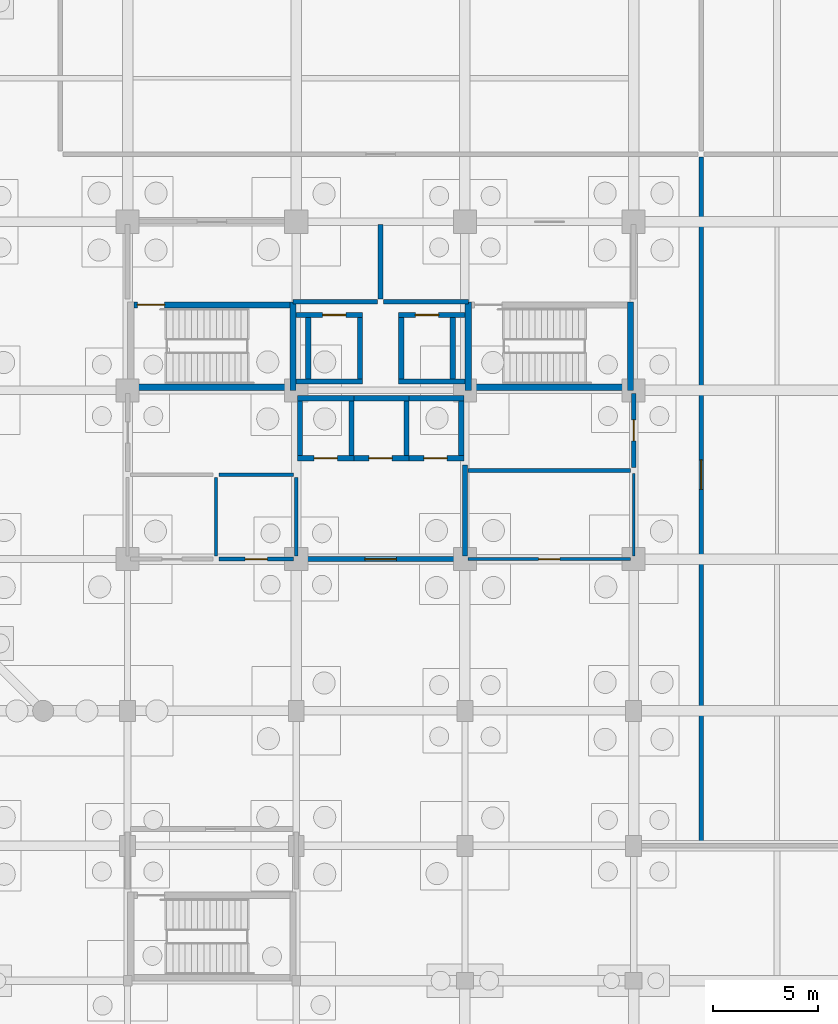
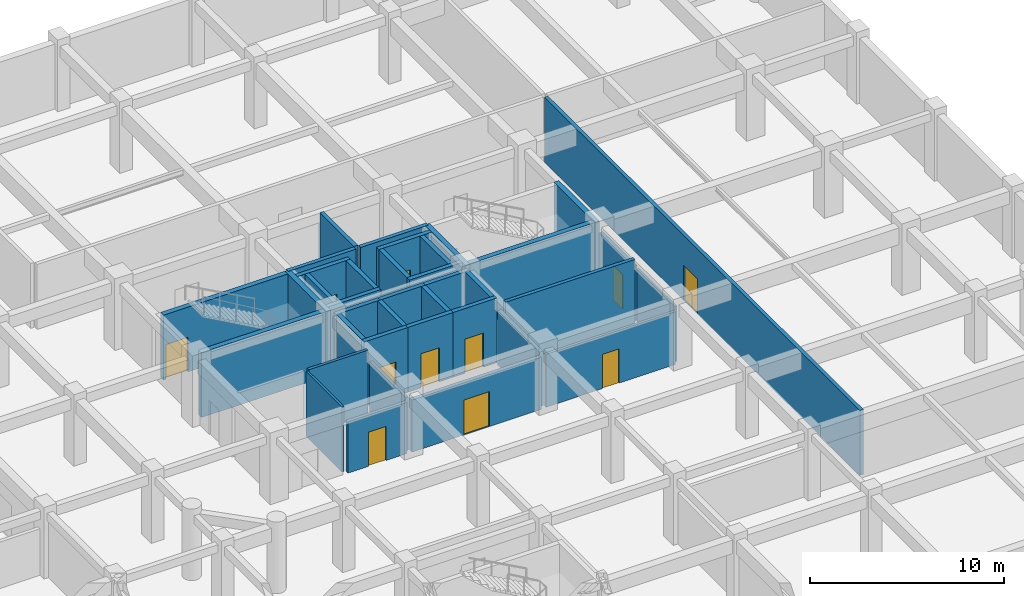
# One storey, part 24 of 28: 38 walls, 11 doors, 11 openings.
"""IFC4 building model written with IfcOpenShell, lengths in metres."""

from ifc_helpers import new_model, si_unit, direction, frame, frame_2d, origin, place, context, subcontext, project, spatial, rectangle, extrude, material, layer, layer_set, type_object, element, fill, save


model = new_model("IFC4")

# Units and contexts
model_context = context("Model", 3, precision=1e-05, world=origin(), true_north=direction((0.0, 1.0)))
body_context = subcontext(model_context, "Body", "Model", "MODEL_VIEW")
ifc_project = project(units=[si_unit("LENGTHUNIT", "METRE"), si_unit("AREAUNIT", "SQUARE_METRE"), si_unit("VOLUMEUNIT", "CUBIC_METRE"), si_unit("PLANEANGLEUNIT", "RADIAN"), si_unit("MASSUNIT", "GRAM", prefix="KILO")], contexts=[model_context])

# Site, building, storey
site_placement = place(None, origin())
site = spatial("IfcSite", under=ifc_project, at=site_placement, CompositionType="ELEMENT")
building_placement = place(site_placement, origin())
building = spatial("IfcBuilding", under=site, at=building_placement, Name="Vellmiral Cinema and Media Centre", CompositionType="ELEMENT")
storey_placement = place(building_placement, frame((0.0, 0.0, -4.5)))
storey = spatial("IfcBuildingStorey", under=building, at=storey_placement, Name="B1", CompositionType="ELEMENT", Elevation=-4.5)

# Wall
ifc_material_1 = material(Name="Concrete C40/50", Category="concrete")
ifc_layer_1 = layer(ifc_material_1, 0.2099609375, Name="Concrete C40/50")
ifc_layer_set_1 = layer_set([ifc_layer_1], Name="Concrete C40/50")
wall_type_1 = type_object("IfcWallType", Name="WL-COMP-210", PredefinedType="SOLIDWALL", material=ifc_layer_set_1)
wall_1_placement = place(storey_placement, frame((140.139892578125, 83.39990234375, 0.0), z_axis=(0.0, 0.0, 1.0), x_axis=(1.0, 0.0, 0.0)))
element("IfcWall", 1, at=wall_1_placement, inside=storey, type_object=wall_type_1, Name="Mechanical Smoke Riser Room Wall S", PredefinedType="SOLIDWALL", context=body_context, shape_type="SweptSolid", body=[
    extrude(rectangle(XDim=7.72021484375, YDim=0.2099609375, at=frame_2d((3.860107421875, 0.0))), origin(), (0.0, 0.0, 1.0), 4.080078125),
])

# Wall, opening, door
wall_2_placement = place(storey_placement, frame((148.0, 83.5400390625, 0.0), z_axis=(0.0, 0.0, 1.0), x_axis=(0.0, 1.0, 0.0)))
wall_2 = element("IfcWall", 2, at=wall_2_placement, inside=storey, type_object=wall_type_1, Name="Mechanical Smoke Riser Room Wall E", PredefinedType="SOLIDWALL", context=body_context, shape_type="SweptSolid", body=[
    extrude(rectangle(XDim=3.52001953125, YDim=0.2099609375, at=frame_2d((1.760009765625, 0.0))), origin(), (0.0, 0.0, 1.0), 3.47509765625),
])
opening_1_placement = place(wall_2_placement, frame((1.260009765625, 0.0, 0.0)))
opening_1 = element("IfcOpeningElement", 3, at=opening_1_placement, cuts=wall_2, Name="Opening D-FD30B", PredefinedType="OPENING", context=body_context, shape_type="SweptSolid", body=[
    extrude(rectangle(XDim=1.0, YDim=2.14990234375, at=frame_2d((0.5, 1.074951171875))), frame((0.0, 0.116943359375, 0.0), z_axis=(0.0, -1.0, 0.0), x_axis=(1.0, 0.0, 0.0)), (0.0, 0.0, 1.0), 0.23388671875),
])
ifc_material_2 = material(Name="Steel Riser Fire Door", Category="steel")
door_type_1 = type_object("IfcDoorType", Name="DR-FD30-1000x2150", OperationType="NOTDEFINED", PredefinedType="DOOR", material=ifc_material_2)
door_1_placement = place(opening_1_placement, origin())
door_1 = element("IfcDoor", 4, at=door_1_placement, inside=storey, type_object=door_type_1, Name="Mechanical Smoke Riser Room Door", OperationType="SINGLE_SWING_LEFT", OverallHeight=2.14990234375, OverallWidth=1.0, PredefinedType="DOOR", context=body_context, shape_type="SweptSolid", body=[
    extrude(rectangle(XDim=1.0, YDim=2.14990234375, at=frame_2d((0.5, 1.074951171875))), frame((0.0, 0.02490234375, 0.0), z_axis=(0.0, -1.0, 0.0), x_axis=(1.0, 0.0, 0.0)), (0.0, 0.0, 1.0), 0.050048828125),
])
fill(opening_1, door_1)

wall_3_placement = place(storey_placement, frame((151.199951171875, 65.739990234375, 0.0), z_axis=(0.0, 0.0, 1.0), x_axis=(0.0, 1.0, 0.0)))
wall_3 = element("IfcWall", 5, at=wall_3_placement, inside=storey, type_object=wall_type_1, Name="Tower Basement Media Archive Room Wall W", PredefinedType="SOLIDWALL", context=body_context, shape_type="SweptSolid", body=[
    extrude(rectangle(XDim=32.52001953125, YDim=0.2099609375, at=frame_2d((16.260009765625, 0.0))), origin(), (0.0, 0.0, 1.0), 4.080078125),
])
opening_2_placement = place(wall_3_placement, frame((16.760009765625, 0.0, 0.0)))
opening_2 = element("IfcOpeningElement", 6, at=opening_2_placement, cuts=wall_3, Name="Opening D-FD60B", PredefinedType="OPENING", context=body_context, shape_type="SweptSolid", body=[
    extrude(rectangle(XDim=1.39990234375, YDim=2.199951171875, at=frame_2d((0.699951171875, 1.10009765625))), frame((0.0, 0.116943359375, 0.0), z_axis=(0.0, -1.0, 0.0), x_axis=(1.0, 0.0, 0.0)), (0.0, 0.0, 1.0), 0.23388671875),
])
ifc_material_3 = material(Name="Steel Fire Door", Category="steel")
door_type_2 = type_object("IfcDoorType", Name="DR-FD60-1400x2200", OperationType="NOTDEFINED", PredefinedType="DOOR", material=ifc_material_3)
door_2_placement = place(opening_2_placement, frame((1.39990234375, 0.0, 0.0), z_axis=(0.0, 0.0, 1.0), x_axis=(-1.0, 0.0, 0.0)))
door_2 = element("IfcDoor", 7, at=door_2_placement, inside=storey, type_object=door_type_2, Name="Tower Basement Media Archive Room Door", OperationType="SINGLE_SWING_LEFT", OverallHeight=2.199951171875, OverallWidth=1.39990234375, PredefinedType="DOOR", context=body_context, shape_type="SweptSolid", body=[
    extrude(rectangle(XDim=1.39990234375, YDim=2.199951171875, at=frame_2d((0.699951171875, 1.10009765625))), frame((0.0, 0.02490234375, 0.0), z_axis=(0.0, -1.0, 0.0), x_axis=(1.0, 0.0, 0.0)), (0.0, 0.0, 1.0), 0.050048828125),
])
fill(opening_2, door_2)

# Walls
ifc_material_4 = material(Name="Concrete C40/50", Category="concrete")
ifc_layer_2 = layer(ifc_material_4, 0.300048828125, Name="Concrete C40/50")
ifc_layer_set_2 = layer_set([ifc_layer_2], Name="Concrete C40/50")
wall_type_2 = type_object("IfcWallType", Name="WL-CORE-300", PredefinedType="SHEAR", material=ifc_layer_set_2)
wall_4_placement = place(storey_placement, frame((131.85009765625, 87.199951171875, 0.0), z_axis=(0.0, 0.0, 1.0), x_axis=(0.0, 1.0, 0.0)))
element("IfcWall", 8, at=wall_4_placement, inside=storey, type_object=wall_type_2, Name="Stair Core Wall ST-T1 B1-E", PredefinedType="SHEAR", context=body_context, shape_type="SweptSolid", body=[
    extrude(rectangle(XDim=4.199951171875, YDim=0.300048828125, at=frame_2d((2.10009765625, 0.0))), origin(), (0.0, 0.0, 1.0), 4.080078125),
])
wall_5_placement = place(storey_placement, frame((124.300048828125, 87.35009765625, 0.0), z_axis=(0.0, 0.0, 1.0), x_axis=(1.0, 0.0, 0.0)))
element("IfcWall", 9, at=wall_5_placement, inside=storey, type_object=wall_type_2, Name="Stair Core Wall ST-T1 B1-S", PredefinedType="SHEAR", context=body_context, shape_type="SweptSolid", body=[
    extrude(rectangle(XDim=7.39990234375, YDim=0.300048828125, at=frame_2d((3.699951171875, 0.0))), origin(), (0.0, 0.0, 1.0), 4.080078125),
])

# Wall, opening, door
wall_6_placement = place(storey_placement, frame((124.300048828125, 91.25, 0.0), z_axis=(0.0, 0.0, 1.0), x_axis=(1.0, 0.0, 0.0)))
wall_6 = element("IfcWall", 10, at=wall_6_placement, inside=storey, type_object=wall_type_2, Name="Stair Core Wall ST-T1 B1-N", PredefinedType="SHEAR", context=body_context, shape_type="SweptSolid", body=[
    extrude(rectangle(XDim=7.39990234375, YDim=0.300048828125, at=frame_2d((3.699951171875, 0.0))), origin(), (0.0, 0.0, 1.0), 4.080078125),
])
opening_3_placement = place(wall_6_placement, frame((0.159912109375, 0.0, 0.0)))
opening_3 = element("IfcOpeningElement", 11, at=opening_3_placement, cuts=wall_6, Name="Opening D-FD30A", PredefinedType="OPENING", context=body_context, shape_type="SweptSolid", body=[
    extrude(rectangle(XDim=1.300048828125, YDim=2.179931640625, at=frame_2d((0.64990234375, 1.08984375))), frame((0.0, 0.162109375, 0.0), z_axis=(0.0, -1.0, 0.0), x_axis=(1.0, 0.0, 0.0)), (0.0, 0.0, 1.0), 0.323974609375),
])
ifc_material_5 = material(Name="Steel Stair Fire Door", Category="steel")
door_type_3 = type_object("IfcDoorType", Name="DR-FD30-1300x2180", OperationType="NOTDEFINED", PredefinedType="DOOR", material=ifc_material_5)
door_3_placement = place(opening_3_placement, frame((1.300048828125, 0.0, 0.0), z_axis=(0.0, 0.0, 1.0), x_axis=(-1.0, 0.0, 0.0)))
door_3 = element("IfcDoor", 12, at=door_3_placement, inside=storey, type_object=door_type_3, Name="Protected Stair Door ST-T1 B1", OperationType="SINGLE_SWING_RIGHT", OverallHeight=2.179931640625, OverallWidth=1.300048828125, PredefinedType="DOOR", context=body_context, shape_type="SweptSolid", body=[
    extrude(rectangle(XDim=1.300048828125, YDim=2.179931640625, at=frame_2d((0.64990234375, 1.08984375))), frame((0.0, 0.02490234375, 0.0), z_axis=(0.0, -1.0, 0.0), x_axis=(1.0, 0.0, 0.0)), (0.0, 0.0, 1.0), 0.050048828125),
])
fill(opening_3, door_3)

# Walls
for number, where, z_axis, x_axis, name in (
    (13, (140.14990234375, 87.199951171875, 0.0), (0.0, 0.0, 1.0), (0.0, 1.0, 0.0), "Stair Core Wall ST-T2 B1-W"),
    (14, (147.85009765625, 87.199951171875, 0.0), (0.0, 0.0, 1.0), (0.0, 1.0, 0.0), "Stair Core Wall ST-T2 B1-E"),
):
    element("IfcWall", number, at=place(storey_placement, frame(where, z_axis=z_axis, x_axis=x_axis)), inside=storey, type_object=wall_type_2, Name=name, PredefinedType="SHEAR", context=body_context, shape_type="SweptSolid", body=[
        extrude(rectangle(XDim=4.199951171875, YDim=0.300048828125, at=frame_2d((2.10009765625, 0.0))), origin(), (0.0, 0.0, 1.0), 4.080078125),
    ])
wall_7_placement = place(storey_placement, frame((140.300048828125, 87.35009765625, 0.0), z_axis=(0.0, 0.0, 1.0), x_axis=(1.0, 0.0, 0.0)))
element("IfcWall", 15, at=wall_7_placement, inside=storey, type_object=wall_type_2, Name="Stair Core Wall ST-T2 B1-S", PredefinedType="SHEAR", context=body_context, shape_type="SweptSolid", body=[
    extrude(rectangle(XDim=7.39990234375, YDim=0.300048828125, at=frame_2d((3.699951171875, 0.0))), origin(), (0.0, 0.0, 1.0), 4.080078125),
])
ifc_material_6 = material(Name="Concrete C40/50", Category="concrete")
ifc_layer_3 = layer(ifc_material_6, 0.22998046875, Name="Concrete C40/50")
ifc_layer_set_3 = layer_set([ifc_layer_3], Name="Concrete C40/50")
wall_type_3 = type_object("IfcWallType", Name="WL-FFL-230", PredefinedType="SOLIDWALL", material=ifc_layer_set_3)
wall_8_placement = place(storey_placement, frame((131.840087890625, 91.39990234375, 0.0), z_axis=(0.0, 0.0, 1.0), x_axis=(1.0, 0.0, 0.0)))
element("IfcWall", 16, at=wall_8_placement, inside=storey, type_object=wall_type_3, Name="Firefighting Lobby West Wall S", PredefinedType="SOLIDWALL", context=body_context, shape_type="SweptSolid", body=[
    extrude(rectangle(XDim=4.02001953125, YDim=0.22998046875, at=frame_2d((2.010009765625, 0.0))), origin(), (0.0, 0.0, 1.0), 4.080078125),
])
wall_9_placement = place(storey_placement, frame((136.0, 91.5400390625, 0.0), z_axis=(0.0, 0.0, 1.0), x_axis=(0.0, 1.0, 0.0)))
element("IfcWall", 17, at=wall_9_placement, inside=storey, type_object=wall_type_3, Name="Firefighting Lobby West Wall E", PredefinedType="SOLIDWALL", context=body_context, shape_type="SweptSolid", body=[
    extrude(rectangle(XDim=3.52001953125, YDim=0.22998046875, at=frame_2d((1.760009765625, 0.0))), origin(), (0.0, 0.0, 1.0), 4.080078125),
])
wall_10_placement = place(storey_placement, frame((136.139892578125, 91.39990234375, 0.0), z_axis=(0.0, 0.0, 1.0), x_axis=(1.0, 0.0, 0.0)))
element("IfcWall", 18, at=wall_10_placement, inside=storey, type_object=wall_type_3, Name="Firefighting Lobby East Wall S", PredefinedType="SOLIDWALL", context=body_context, shape_type="SweptSolid", body=[
    extrude(rectangle(XDim=4.02001953125, YDim=0.22998046875, at=frame_2d((2.010009765625, 0.0))), origin(), (0.0, 0.0, 1.0), 4.080078125),
])

# Wall, opening, door
wall_11_placement = place(storey_placement, frame((132.139892578125, 79.199951171875, 0.0), z_axis=(0.0, 0.0, 1.0), x_axis=(1.0, 0.0, 0.0)))
wall_11 = element("IfcWall", 19, at=wall_11_placement, inside=storey, type_object=wall_type_3, Name="Tower Passenger Lift Lobby Wall S", PredefinedType="SOLIDWALL", context=body_context, shape_type="SweptSolid", body=[
    extrude(rectangle(XDim=7.72021484375, YDim=0.22998046875, at=frame_2d((3.860107421875, 0.0))), origin(), (0.0, 0.0, 1.0), 3.27490234375),
])
opening_4_placement = place(wall_11_placement, frame((3.110107421875, 0.0, 0.0)))
opening_4 = element("IfcOpeningElement", 20, at=opening_4_placement, cuts=wall_11, Name="Opening D-FD30", PredefinedType="OPENING", context=body_context, shape_type="SweptSolid", body=[
    extrude(rectangle(XDim=1.5, YDim=2.199951171875, at=frame_2d((0.75, 1.10009765625))), frame((0.0, 0.126953125, 0.0), z_axis=(0.0, -1.0, 0.0), x_axis=(1.0, 0.0, 0.0)), (0.0, 0.0, 1.0), 0.25390625),
])
ifc_material_7 = material(Name="Timber-Core Fire Door", Category="wood")
door_type_4 = type_object("IfcDoorType", Name="DR-FD30-1500x2200", OperationType="DOUBLE_DOOR_SINGLE_SWING", PredefinedType="DOOR", material=ifc_material_7)
door_4_placement = place(opening_4_placement, frame((1.5, 0.0, 0.0), z_axis=(0.0, 0.0, 1.0), x_axis=(-1.0, 0.0, 0.0)))
door_4 = element("IfcDoor", 21, at=door_4_placement, inside=storey, type_object=door_type_4, Name="Tower Passenger Lift Lobby Door", OperationType="DOUBLE_DOOR_SINGLE_SWING", OverallHeight=2.199951171875, OverallWidth=1.5, PredefinedType="DOOR", context=body_context, shape_type="SweptSolid", body=[
    extrude(rectangle(XDim=1.5, YDim=2.199951171875, at=frame_2d((0.75, 1.10009765625))), frame((0.0, 0.02490234375, 0.0), z_axis=(0.0, -1.0, 0.0), x_axis=(1.0, 0.0, 0.0)), (0.0, 0.0, 1.0), 0.050048828125),
])
fill(opening_4, door_4)

# Walls
wall_12_placement = place(storey_placement, frame((140.0, 79.340087890625, 0.0), z_axis=(0.0, 0.0, 1.0), x_axis=(0.0, 1.0, 0.0)))
element("IfcWall", 22, at=wall_12_placement, inside=storey, type_object=wall_type_3, Name="Tower Passenger Lift Lobby Wall E", PredefinedType="SOLIDWALL", context=body_context, shape_type="SweptSolid", body=[
    extrude(rectangle(XDim=4.31982421875, YDim=0.22998046875, at=frame_2d((2.159912109375, 0.0))), origin(), (0.0, 0.0, 1.0), 3.425048828125),
])
ifc_material_8 = material(Name="Gypsum Plasterboard")
ifc_layer_4 = layer(ifc_material_8, 0.02490234375, Name="Gypsum Plasterboard", Category="gypsum")
ifc_material_9 = material(Name="Mineral Wool Acoustic Insulation", Category="insulation")
ifc_layer_5 = layer(ifc_material_9, 0.080078125, Name="Mineral Wool Acoustic Insulation", Category="insulation")
ifc_layer_6 = layer(ifc_material_8, 0.02490234375, Name="Gypsum Plasterboard", Category="gypsum")
ifc_layer_set_4 = layer_set([ifc_layer_4, ifc_layer_5, ifc_layer_6], Name="Gypsum Plasterboard")
wall_type_4 = type_object("IfcWallType", Name="WL-PART-130", PredefinedType="PARTITIONING", material=ifc_layer_set_4)
wall_13_placement = place(storey_placement, frame((128.199951171875, 79.340087890625, 0.0), z_axis=(0.0, 0.0, 1.0), x_axis=(0.0, 1.0, 0.0)))
element("IfcWall", 23, at=wall_13_placement, inside=storey, type_object=wall_type_4, Name="Staff WC Wall E", PredefinedType="PARTITIONING", context=body_context, shape_type="SweptSolid", body=[
    extrude(rectangle(XDim=3.719970703125, YDim=0.1298828125, at=frame_2d((1.85986328125, 0.0))), origin(), (0.0, 0.0, 1.0), 4.080078125),
])
wall_14_placement = place(storey_placement, frame((148.0, 79.340087890625, 0.0), z_axis=(0.0, 0.0, 1.0), x_axis=(0.0, 1.0, 0.0)))
element("IfcWall", 24, at=wall_14_placement, inside=storey, type_object=wall_type_4, Name="Cleaner and Media Supply Store Wall E", PredefinedType="PARTITIONING", context=body_context, shape_type="SweptSolid", body=[
    extrude(rectangle(XDim=3.919921875, YDim=0.1298828125, at=frame_2d((1.9599609375, 0.0))), origin(), (0.0, 0.0, 1.0), 3.47509765625),
])
ifc_material_10 = material(Name="Gypsum Plasterboard")
ifc_layer_7 = layer(ifc_material_10, 0.02490234375, Name="Gypsum Plasterboard", Category="gypsum")
ifc_material_11 = material(Name="Mineral Wool Acoustic Insulation", Category="insulation")
ifc_layer_8 = layer(ifc_material_11, 0.10009765625, Name="Mineral Wool Acoustic Insulation", Category="insulation")
ifc_layer_9 = layer(ifc_material_10, 0.02490234375, Name="Gypsum Plasterboard", Category="gypsum")
ifc_layer_set_5 = layer_set([ifc_layer_7, ifc_layer_8, ifc_layer_9], Name="Gypsum Plasterboard")
wall_type_5 = type_object("IfcWallType", Name="WL-PART-150", PredefinedType="PARTITIONING", material=ifc_layer_set_5)
wall_15_placement = place(storey_placement, frame((132.0, 79.340087890625, 0.0), z_axis=(0.0, 0.0, 1.0), x_axis=(0.0, 1.0, 0.0)))
element("IfcWall", 25, at=wall_15_placement, inside=storey, type_object=wall_type_5, Name="Accessible WC Wall E", PredefinedType="PARTITIONING", context=body_context, shape_type="SweptSolid", body=[
    extrude(rectangle(XDim=3.719970703125, YDim=0.14990234375, at=frame_2d((1.85986328125, 0.0))), origin(), (0.0, 0.0, 1.0), 3.375),
])

# Wall, opening, door
wall_16_placement = place(storey_placement, frame((140.139892578125, 79.199951171875, 0.0), z_axis=(0.0, 0.0, 1.0), x_axis=(1.0, 0.0, 0.0)))
wall_16 = element("IfcWall", 26, at=wall_16_placement, inside=storey, type_object=wall_type_5, Name="Cleaner and Media Supply Store Wall S", PredefinedType="PARTITIONING", context=body_context, shape_type="SweptSolid", body=[
    extrude(rectangle(XDim=7.72021484375, YDim=0.14990234375, at=frame_2d((3.860107421875, 0.0))), origin(), (0.0, 0.0, 1.0), 3.324951171875),
])
opening_5_placement = place(wall_16_placement, frame((3.360107421875, 0.0, 0.0)))
opening_5 = element("IfcOpeningElement", 27, at=opening_5_placement, cuts=wall_16, Name="Opening D-I08", PredefinedType="OPENING", context=body_context, shape_type="SweptSolid", body=[
    extrude(rectangle(XDim=1.0, YDim=2.14990234375, at=frame_2d((0.5, 1.074951171875))), frame((0.0, 0.0869140625, 0.0), z_axis=(0.0, -1.0, 0.0), x_axis=(1.0, 0.0, 0.0)), (0.0, 0.0, 1.0), 0.173828125),
])
ifc_material_12 = material(Name="Laminated Timber Door", Category="wood")
door_type_5 = type_object("IfcDoorType", Name="DR-INT-1000x2150", OperationType="NOTDEFINED", PredefinedType="DOOR", material=ifc_material_12)
door_5_placement = place(opening_5_placement, origin())
door_5 = element("IfcDoor", 28, at=door_5_placement, inside=storey, type_object=door_type_5, Name="Cleaner and Media Supply Store Door", OperationType="SINGLE_SWING_RIGHT", OverallHeight=2.14990234375, OverallWidth=1.0, PredefinedType="DOOR", context=body_context, shape_type="SweptSolid", body=[
    extrude(rectangle(XDim=1.0, YDim=2.14990234375, at=frame_2d((0.5, 1.074951171875))), frame((0.0, 0.02490234375, 0.0), z_axis=(0.0, -1.0, 0.0), x_axis=(1.0, 0.0, 0.0)), (0.0, 0.0, 1.0), 0.050048828125),
])
fill(opening_5, door_5)

# Wall
ifc_material_13 = material(Name="Gypsum Plasterboard")
ifc_layer_10 = layer(ifc_material_13, 0.02490234375, Name="Gypsum Plasterboard", Category="gypsum")
ifc_material_14 = material(Name="Mineral Wool Acoustic Insulation", Category="insulation")
ifc_layer_11 = layer(ifc_material_14, 0.1201171875, Name="Mineral Wool Acoustic Insulation", Category="insulation")
ifc_layer_12 = layer(ifc_material_13, 0.02490234375, Name="Gypsum Plasterboard", Category="gypsum")
ifc_layer_set_6 = layer_set([ifc_layer_10, ifc_layer_11, ifc_layer_12], Name="Gypsum Plasterboard")
wall_type_6 = type_object("IfcWallType", Name="WL-PART-170", PredefinedType="PARTITIONING", material=ifc_layer_set_6)
wall_17_placement = place(storey_placement, frame((128.340087890625, 83.199951171875, 0.0), z_axis=(0.0, 0.0, 1.0), x_axis=(1.0, 0.0, 0.0)))
element("IfcWall", 29, at=wall_17_placement, inside=storey, type_object=wall_type_6, Name="Accessible WC Wall N", PredefinedType="PARTITIONING", context=body_context, shape_type="SweptSolid", body=[
    extrude(rectangle(XDim=3.52001953125, YDim=0.169921875, at=frame_2d((1.760009765625, 0.0))), origin(), (0.0, 0.0, 1.0), 4.080078125),
])

# Wall, opening, door
ifc_material_15 = material(Name="Gypsum Plasterboard")
ifc_layer_13 = layer(ifc_material_15, 0.02490234375, Name="Gypsum Plasterboard", Category="gypsum")
ifc_material_16 = material(Name="Mineral Wool Acoustic Insulation", Category="insulation")
ifc_layer_14 = layer(ifc_material_16, 0.139892578125, Name="Mineral Wool Acoustic Insulation", Category="insulation")
ifc_layer_15 = layer(ifc_material_15, 0.02490234375, Name="Gypsum Plasterboard", Category="gypsum")
ifc_layer_set_7 = layer_set([ifc_layer_13, ifc_layer_14, ifc_layer_15], Name="Gypsum Plasterboard")
wall_type_7 = type_object("IfcWallType", Name="WL-PART-190", PredefinedType="PARTITIONING", material=ifc_layer_set_7)
wall_18_placement = place(storey_placement, frame((128.340087890625, 79.199951171875, 0.0), z_axis=(0.0, 0.0, 1.0), x_axis=(1.0, 0.0, 0.0)))
wall_18 = element("IfcWall", 30, at=wall_18_placement, inside=storey, type_object=wall_type_7, Name="Accessible WC Wall S", PredefinedType="PARTITIONING", context=body_context, shape_type="SweptSolid", body=[
    extrude(rectangle(XDim=3.52001953125, YDim=0.18994140625, at=frame_2d((1.760009765625, 0.0))), origin(), (0.0, 0.0, 1.0), 3.22509765625),
])
opening_6_placement = place(wall_18_placement, frame((1.235107421875, 0.0, 0.0)))
opening_6 = element("IfcOpeningElement", 31, at=opening_6_placement, cuts=wall_18, Name="Opening D-I10", PredefinedType="OPENING", context=body_context, shape_type="SweptSolid", body=[
    extrude(rectangle(XDim=1.050048828125, YDim=2.14990234375, at=frame_2d((0.52490234375, 1.074951171875))), frame((0.0, 0.10693359375, 0.0), z_axis=(0.0, -1.0, 0.0), x_axis=(1.0, 0.0, 0.0)), (0.0, 0.0, 1.0), 0.2138671875),
])
ifc_material_17 = material(Name="Barrier-Free Timber Door", Category="wood")
door_type_6 = type_object("IfcDoorType", Name="DR-ACC-1050x2150", OperationType="NOTDEFINED", PredefinedType="DOOR", material=ifc_material_17)
door_6_placement = place(opening_6_placement, origin())
door_6 = element("IfcDoor", 32, at=door_6_placement, inside=storey, type_object=door_type_6, Name="Accessible WC Door", OperationType="SINGLE_SWING_RIGHT", OverallHeight=2.14990234375, OverallWidth=1.050048828125, PredefinedType="DOOR", context=body_context, shape_type="SweptSolid", body=[
    extrude(rectangle(XDim=1.050048828125, YDim=2.14990234375, at=frame_2d((0.52490234375, 1.074951171875))), frame((0.0, 0.02490234375, 0.0), z_axis=(0.0, -1.0, 0.0), x_axis=(1.0, 0.0, 0.0)), (0.0, 0.0, 1.0), 0.050048828125),
])
fill(opening_6, door_6)

# Wall
ifc_material_18 = material(Name="Concrete C40/50", Category="concrete")
ifc_layer_16 = layer(ifc_material_18, 0.25, Name="Concrete C40/50")
ifc_layer_set_8 = layer_set([ifc_layer_16], Name="Concrete C40/50")
wall_type_8 = type_object("IfcWallType", Name="WL-SHAFT-250", PredefinedType="SHEAR", material=ifc_layer_set_8)
wall_19_placement = place(storey_placement, frame((132.0, 87.625, 0.0), z_axis=(0.0, 0.0, 1.0), x_axis=(1.0, 0.0, 0.0)))
element("IfcWall", 33, at=wall_19_placement, inside=storey, type_object=wall_type_8, Name="Lift Shaft Wall LF-FF1 B1-S", PredefinedType="SHEAR", context=body_context, shape_type="SweptSolid", body=[
    extrude(rectangle(XDim=3.14990234375, YDim=0.25, at=frame_2d((1.574951171875, 0.0))), origin(), (0.0, 0.0, 1.0), 4.080078125),
])

# Wall, opening, door
wall_20_placement = place(storey_placement, frame((132.0, 90.77490234375, 0.0), z_axis=(0.0, 0.0, 1.0), x_axis=(1.0, 0.0, 0.0)))
wall_20 = element("IfcWall", 34, at=wall_20_placement, inside=storey, type_object=wall_type_8, Name="Lift Shaft Wall LF-FF1 B1-N", PredefinedType="SHEAR", context=body_context, shape_type="SweptSolid", body=[
    extrude(rectangle(XDim=3.14990234375, YDim=0.25, at=frame_2d((1.574951171875, 0.0))), origin(), (0.0, 0.0, 1.0), 4.080078125),
])
opening_7_placement = place(wall_20_placement, frame((1.25, 0.0, 0.0)))
opening_7 = element("IfcOpeningElement", 35, at=opening_7_placement, cuts=wall_20, Name="Opening LD-01", PredefinedType="OPENING", context=body_context, shape_type="SweptSolid", body=[
    extrude(rectangle(XDim=1.10009765625, YDim=2.14990234375, at=frame_2d((0.550048828125, 1.074951171875))), frame((0.0, 0.136962890625, 0.0), z_axis=(0.0, -1.0, 0.0), x_axis=(1.0, 0.0, 0.0)), (0.0, 0.0, 1.0), 0.27392578125),
])
ifc_material_19 = material(Name="Stainless Steel Lift Landing Door", Category="steel")
door_type_7 = type_object("IfcDoorType", Name="DR-LIFT-1100x2150", OperationType="SLIDING_TO_LEFT", PredefinedType="DOOR", material=ifc_material_19)
door_7_placement = place(opening_7_placement, origin())
door_7 = element("IfcDoor", 36, at=door_7_placement, inside=storey, type_object=door_type_7, Name="Lift Landing Door LF-FF1 B1", OperationType="SLIDING_TO_LEFT", OverallHeight=2.14990234375, OverallWidth=1.10009765625, PredefinedType="DOOR", context=body_context, shape_type="SweptSolid", body=[
    extrude(rectangle(XDim=1.10009765625, YDim=2.14990234375, at=frame_2d((0.550048828125, 1.074951171875))), frame((0.0, 0.02490234375, 0.0), z_axis=(0.0, -1.0, 0.0), x_axis=(1.0, 0.0, 0.0)), (0.0, 0.0, 1.0), 0.050048828125),
])
fill(opening_7, door_7)

# Walls
for number, where, z_axis, x_axis, name in (
    (37, (132.574951171875, 87.75, 0.0), (0.0, 0.0, 1.0), (0.0, 1.0, 0.0), "Lift Shaft Wall LF-FF1 B1-W"),
    (38, (135.02490234375, 87.75, 0.0), (0.0, 0.0, 1.0), (0.0, 1.0, 0.0), "Lift Shaft Wall LF-FF1 B1-E"),
):
    element("IfcWall", number, at=place(storey_placement, frame(where, z_axis=z_axis, x_axis=x_axis)), inside=storey, type_object=wall_type_8, Name=name, PredefinedType="SHEAR", context=body_context, shape_type="SweptSolid", body=[
        extrude(rectangle(XDim=2.89990234375, YDim=0.25, at=frame_2d((1.449951171875, 0.0))), origin(), (0.0, 0.0, 1.0), 4.080078125),
    ])
wall_21_placement = place(storey_placement, frame((136.85009765625, 87.625, 0.0), z_axis=(0.0, 0.0, 1.0), x_axis=(1.0, 0.0, 0.0)))
element("IfcWall", 39, at=wall_21_placement, inside=storey, type_object=wall_type_8, Name="Lift Shaft Wall LF-FF2 B1-S", PredefinedType="SHEAR", context=body_context, shape_type="SweptSolid", body=[
    extrude(rectangle(XDim=3.14990234375, YDim=0.25, at=frame_2d((1.574951171875, 0.0))), origin(), (0.0, 0.0, 1.0), 4.080078125),
])

# Wall, opening, door
wall_22_placement = place(storey_placement, frame((136.85009765625, 90.77490234375, 0.0), z_axis=(0.0, 0.0, 1.0), x_axis=(1.0, 0.0, 0.0)))
wall_22 = element("IfcWall", 40, at=wall_22_placement, inside=storey, type_object=wall_type_8, Name="Lift Shaft Wall LF-FF2 B1-N", PredefinedType="SHEAR", context=body_context, shape_type="SweptSolid", body=[
    extrude(rectangle(XDim=3.14990234375, YDim=0.25, at=frame_2d((1.574951171875, 0.0))), origin(), (0.0, 0.0, 1.0), 4.080078125),
])
opening_8_placement = place(wall_22_placement, frame((0.800048828125, 0.0, 0.0)))
opening_8 = element("IfcOpeningElement", 41, at=opening_8_placement, cuts=wall_22, Name="Opening LD-01", PredefinedType="OPENING", context=body_context, shape_type="SweptSolid", body=[
    extrude(rectangle(XDim=1.10009765625, YDim=2.14990234375, at=frame_2d((0.550048828125, 1.074951171875))), frame((0.0, 0.136962890625, 0.0), z_axis=(0.0, -1.0, 0.0), x_axis=(1.0, 0.0, 0.0)), (0.0, 0.0, 1.0), 0.27392578125),
])
door_8_placement = place(opening_8_placement, origin())
door_8 = element("IfcDoor", 42, at=door_8_placement, inside=storey, type_object=door_type_7, Name="Lift Landing Door LF-FF2 B1", OperationType="SLIDING_TO_LEFT", OverallHeight=2.14990234375, OverallWidth=1.10009765625, PredefinedType="DOOR", context=body_context, shape_type="SweptSolid", body=[
    extrude(rectangle(XDim=1.10009765625, YDim=2.14990234375, at=frame_2d((0.550048828125, 1.074951171875))), frame((0.0, 0.02490234375, 0.0), z_axis=(0.0, -1.0, 0.0), x_axis=(1.0, 0.0, 0.0)), (0.0, 0.0, 1.0), 0.050048828125),
])
fill(opening_8, door_8)

# Walls
for number, where, z_axis, x_axis, name in (
    (43, (136.97509765625, 87.75, 0.0), (0.0, 0.0, 1.0), (0.0, 1.0, 0.0), "Lift Shaft Wall LF-FF2 B1-W"),
    (44, (139.425048828125, 87.75, 0.0), (0.0, 0.0, 1.0), (0.0, 1.0, 0.0), "Lift Shaft Wall LF-FF2 B1-E"),
):
    element("IfcWall", number, at=place(storey_placement, frame(where, z_axis=z_axis, x_axis=x_axis)), inside=storey, type_object=wall_type_8, Name=name, PredefinedType="SHEAR", context=body_context, shape_type="SweptSolid", body=[
        extrude(rectangle(XDim=2.89990234375, YDim=0.25, at=frame_2d((1.449951171875, 0.0))), origin(), (0.0, 0.0, 1.0), 4.080078125),
    ])

# Wall, opening, door
wall_23_placement = place(storey_placement, frame((132.050048828125, 83.97509765625, 0.0), z_axis=(0.0, 0.0, 1.0), x_axis=(1.0, 0.0, 0.0)))
wall_23 = element("IfcWall", 45, at=wall_23_placement, inside=storey, type_object=wall_type_8, Name="Lift Shaft Wall LF-P1 B1-S", PredefinedType="SHEAR", context=body_context, shape_type="SweptSolid", body=[
    extrude(rectangle(XDim=2.699951171875, YDim=0.25, at=frame_2d((1.35009765625, 0.0))), origin(), (0.0, 0.0, 1.0), 4.080078125),
])
opening_9_placement = place(wall_23_placement, frame((0.800048828125, 0.0, 0.0)))
opening_9 = element("IfcOpeningElement", 46, at=opening_9_placement, cuts=wall_23, Name="Opening LD-01", PredefinedType="OPENING", context=body_context, shape_type="SweptSolid", body=[
    extrude(rectangle(XDim=1.10009765625, YDim=2.14990234375, at=frame_2d((0.550048828125, 1.074951171875))), frame((0.0, 0.136962890625, 0.0), z_axis=(0.0, -1.0, 0.0), x_axis=(1.0, 0.0, 0.0)), (0.0, 0.0, 1.0), 0.27392578125),
])
door_9_placement = place(opening_9_placement, origin())
door_9 = element("IfcDoor", 47, at=door_9_placement, inside=storey, type_object=door_type_7, Name="Lift Landing Door LF-P1 B1", OperationType="SLIDING_TO_LEFT", OverallHeight=2.14990234375, OverallWidth=1.10009765625, PredefinedType="DOOR", context=body_context, shape_type="SweptSolid", body=[
    extrude(rectangle(XDim=1.10009765625, YDim=2.14990234375, at=frame_2d((0.550048828125, 1.074951171875))), frame((0.0, 0.02490234375, 0.0), z_axis=(0.0, -1.0, 0.0), x_axis=(1.0, 0.0, 0.0)), (0.0, 0.0, 1.0), 0.050048828125),
])
fill(opening_9, door_9)

# Walls
wall_24_placement = place(storey_placement, frame((132.050048828125, 86.824951171875, 0.0), z_axis=(0.0, 0.0, 1.0), x_axis=(1.0, 0.0, 0.0)))
element("IfcWall", 48, at=wall_24_placement, inside=storey, type_object=wall_type_8, Name="Lift Shaft Wall LF-P1 B1-N", PredefinedType="SHEAR", context=body_context, shape_type="SweptSolid", body=[
    extrude(rectangle(XDim=2.699951171875, YDim=0.25, at=frame_2d((1.35009765625, 0.0))), origin(), (0.0, 0.0, 1.0), 4.080078125),
])
for number, where, z_axis, x_axis, name in (
    (49, (132.175048828125, 84.10009765625, 0.0), (0.0, 0.0, 1.0), (0.0, 1.0, 0.0), "Lift Shaft Wall LF-P1 B1-W"),
    (50, (134.625, 84.10009765625, 0.0), (0.0, 0.0, 1.0), (0.0, 1.0, 0.0), "Lift Shaft Wall LF-P1 B1-E"),
):
    element("IfcWall", number, at=place(storey_placement, frame(where, z_axis=z_axis, x_axis=x_axis)), inside=storey, type_object=wall_type_8, Name=name, PredefinedType="SHEAR", context=body_context, shape_type="SweptSolid", body=[
        extrude(rectangle(XDim=2.599853515625, YDim=0.25, at=frame_2d((1.2998046875, 0.0))), origin(), (0.0, 0.0, 1.0), 4.080078125),
    ])

# Wall, opening, door
wall_25_placement = place(storey_placement, frame((134.64990234375, 83.97509765625, 0.0), z_axis=(0.0, 0.0, 1.0), x_axis=(1.0, 0.0, 0.0)))
wall_25 = element("IfcWall", 51, at=wall_25_placement, inside=storey, type_object=wall_type_8, Name="Lift Shaft Wall LF-P2 B1-S", PredefinedType="SHEAR", context=body_context, shape_type="SweptSolid", body=[
    extrude(rectangle(XDim=2.7001953125, YDim=0.25, at=frame_2d((1.35009765625, 0.0))), origin(), (0.0, 0.0, 1.0), 4.080078125),
])
opening_10_placement = place(wall_25_placement, frame((0.800048828125, 0.0, 0.0)))
opening_10 = element("IfcOpeningElement", 52, at=opening_10_placement, cuts=wall_25, Name="Opening LD-01", PredefinedType="OPENING", context=body_context, shape_type="SweptSolid", body=[
    extrude(rectangle(XDim=1.10009765625, YDim=2.14990234375, at=frame_2d((0.550048828125, 1.074951171875))), frame((0.0, 0.136962890625, 0.0), z_axis=(0.0, -1.0, 0.0), x_axis=(1.0, 0.0, 0.0)), (0.0, 0.0, 1.0), 0.27392578125),
])
door_10_placement = place(opening_10_placement, origin())
door_10 = element("IfcDoor", 53, at=door_10_placement, inside=storey, type_object=door_type_7, Name="Lift Landing Door LF-P2 B1", OperationType="SLIDING_TO_LEFT", OverallHeight=2.14990234375, OverallWidth=1.10009765625, PredefinedType="DOOR", context=body_context, shape_type="SweptSolid", body=[
    extrude(rectangle(XDim=1.10009765625, YDim=2.14990234375, at=frame_2d((0.550048828125, 1.074951171875))), frame((0.0, 0.02490234375, 0.0), z_axis=(0.0, -1.0, 0.0), x_axis=(1.0, 0.0, 0.0)), (0.0, 0.0, 1.0), 0.050048828125),
])
fill(opening_10, door_10)

# Walls
wall_26_placement = place(storey_placement, frame((134.64990234375, 86.824951171875, 0.0), z_axis=(0.0, 0.0, 1.0), x_axis=(1.0, 0.0, 0.0)))
element("IfcWall", 54, at=wall_26_placement, inside=storey, type_object=wall_type_8, Name="Lift Shaft Wall LF-P2 B1-N", PredefinedType="SHEAR", context=body_context, shape_type="SweptSolid", body=[
    extrude(rectangle(XDim=2.7001953125, YDim=0.25, at=frame_2d((1.35009765625, 0.0))), origin(), (0.0, 0.0, 1.0), 4.080078125),
])
wall_27_placement = place(storey_placement, frame((137.22509765625, 84.10009765625, 0.0), z_axis=(0.0, 0.0, 1.0), x_axis=(0.0, 1.0, 0.0)))
element("IfcWall", 55, at=wall_27_placement, inside=storey, type_object=wall_type_8, Name="Lift Shaft Wall LF-P2 B1-E", PredefinedType="SHEAR", context=body_context, shape_type="SweptSolid", body=[
    extrude(rectangle(XDim=2.599853515625, YDim=0.25, at=frame_2d((1.2998046875, 0.0))), origin(), (0.0, 0.0, 1.0), 4.080078125),
])

# Wall, opening, door
wall_28_placement = place(storey_placement, frame((137.25, 83.97509765625, 0.0), z_axis=(0.0, 0.0, 1.0), x_axis=(1.0, 0.0, 0.0)))
wall_28 = element("IfcWall", 56, at=wall_28_placement, inside=storey, type_object=wall_type_8, Name="Lift Shaft Wall LF-P3 B1-S", PredefinedType="SHEAR", context=body_context, shape_type="SweptSolid", body=[
    extrude(rectangle(XDim=2.699951171875, YDim=0.25, at=frame_2d((1.35009765625, 0.0))), origin(), (0.0, 0.0, 1.0), 4.080078125),
])
opening_11_placement = place(wall_28_placement, frame((0.800048828125, 0.0, 0.0)))
opening_11 = element("IfcOpeningElement", 57, at=opening_11_placement, cuts=wall_28, Name="Opening LD-01", PredefinedType="OPENING", context=body_context, shape_type="SweptSolid", body=[
    extrude(rectangle(XDim=1.10009765625, YDim=2.14990234375, at=frame_2d((0.550048828125, 1.074951171875))), frame((0.0, 0.136962890625, 0.0), z_axis=(0.0, -1.0, 0.0), x_axis=(1.0, 0.0, 0.0)), (0.0, 0.0, 1.0), 0.27392578125),
])
door_11_placement = place(opening_11_placement, origin())
door_11 = element("IfcDoor", 58, at=door_11_placement, inside=storey, type_object=door_type_7, Name="Lift Landing Door LF-P3 B1", OperationType="SLIDING_TO_LEFT", OverallHeight=2.14990234375, OverallWidth=1.10009765625, PredefinedType="DOOR", context=body_context, shape_type="SweptSolid", body=[
    extrude(rectangle(XDim=1.10009765625, YDim=2.14990234375, at=frame_2d((0.550048828125, 1.074951171875))), frame((0.0, 0.02490234375, 0.0), z_axis=(0.0, -1.0, 0.0), x_axis=(1.0, 0.0, 0.0)), (0.0, 0.0, 1.0), 0.050048828125),
])
fill(opening_11, door_11)

# Walls
wall_29_placement = place(storey_placement, frame((137.25, 86.824951171875, 0.0), z_axis=(0.0, 0.0, 1.0), x_axis=(1.0, 0.0, 0.0)))
element("IfcWall", 59, at=wall_29_placement, inside=storey, type_object=wall_type_8, Name="Lift Shaft Wall LF-P3 B1-N", PredefinedType="SHEAR", context=body_context, shape_type="SweptSolid", body=[
    extrude(rectangle(XDim=2.699951171875, YDim=0.25, at=frame_2d((1.35009765625, 0.0))), origin(), (0.0, 0.0, 1.0), 4.080078125),
])
wall_30_placement = place(storey_placement, frame((139.824951171875, 84.10009765625, 0.0), z_axis=(0.0, 0.0, 1.0), x_axis=(0.0, 1.0, 0.0)))
element("IfcWall", 60, at=wall_30_placement, inside=storey, type_object=wall_type_8, Name="Lift Shaft Wall LF-P3 B1-E", PredefinedType="SHEAR", context=body_context, shape_type="SweptSolid", body=[
    extrude(rectangle(XDim=2.599853515625, YDim=0.25, at=frame_2d((1.2998046875, 0.0))), origin(), (0.0, 0.0, 1.0), 4.080078125),
])

save(model, "model.ifc")
